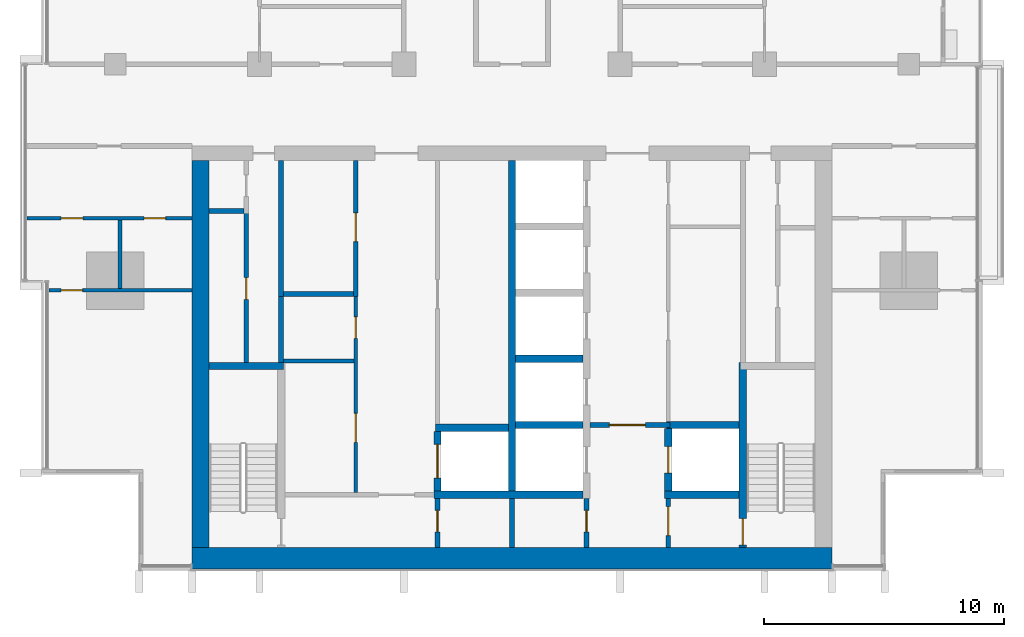
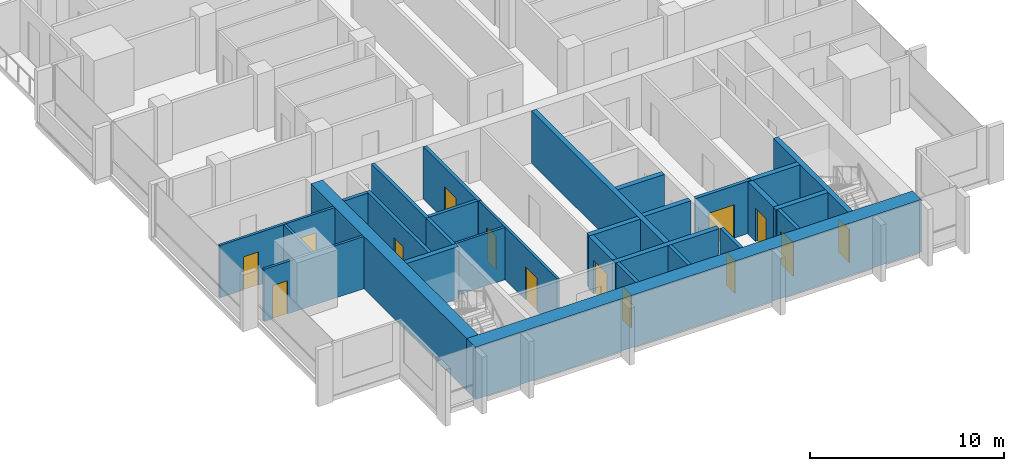
# One storey, part 7 of 17: 29 walls, 14 doors, 14 openings.
"""IFC4 building model written with IfcOpenShell, lengths in metres."""

from ifc_helpers import new_model, si_unit, direction, frame, frame_2d, origin, place, context, subcontext, project, spatial, rectangle, extrude, material, layer, layer_set, type_object, element, fill, save


model = new_model("IFC4")

# Units and contexts
model_context = context("Model", 3, precision=1e-05, world=origin(), true_north=direction((0.0, 1.0)))
body_context = subcontext(model_context, "Body", "Model", "MODEL_VIEW")
ifc_project = project(units=[si_unit("LENGTHUNIT", "METRE"), si_unit("AREAUNIT", "SQUARE_METRE"), si_unit("VOLUMEUNIT", "CUBIC_METRE"), si_unit("PLANEANGLEUNIT", "RADIAN"), si_unit("MASSUNIT", "GRAM", prefix="KILO")], contexts=[model_context])

# Site, building, storey
site_placement = place(None, origin())
site = spatial("IfcSite", under=ifc_project, at=site_placement, CompositionType="ELEMENT")
building_placement = place(site_placement, origin())
building = spatial("IfcBuilding", under=site, at=building_placement, Name="Finial Court Residences", CompositionType="ELEMENT")
storey_placement = place(building_placement, frame((0.0, 0.0, 181.699951171875)))
storey = spatial("IfcBuildingStorey", under=building, at=storey_placement, Name="L45", CompositionType="ELEMENT", Elevation=181.699951171875)

# Walls
ifc_material_1 = material(Name="Concrete C70/85", Category="concrete")
ifc_layer_1 = layer(ifc_material_1, 0.699951171875)
ifc_layer_set_1 = layer_set([ifc_layer_1], Name="Core outer wall 700 Concrete C70/85")
wall_type_1 = type_object("IfcWallType", Name="Core outer wall 700 Concrete C70/85", PredefinedType="SHEAR", material=ifc_layer_set_1)
wall_1_placement = place(storey_placement, frame((-12.949951171875, -24.60009765625, 0.0), z_axis=(0.0, 0.0, 1.0), x_axis=(0.0, 1.0, 0.0)))
element("IfcWall", 1, at=wall_1_placement, inside=storey, type_object=wall_type_1, Name="Core outer wall L45-03", PredefinedType="SHEAR", context=body_context, shape_type="SweptSolid", body=[
    extrude(rectangle(XDim=16.10009765625, YDim=0.699951171875, at=frame_2d((8.050048828125, 0.0))), origin(), (0.0, 0.0, 1.0), 3.300048828125),
])
ifc_material_2 = material(Name="Fire-rated gypsum board partition")
ifc_layer_2 = layer(ifc_material_2, 0.14990234375)
ifc_layer_set_2 = layer_set([ifc_layer_2], Name="Core room partition 150 EI 60")
wall_type_2 = type_object("IfcWallType", Name="Core room partition 150 EI 60", PredefinedType="PARTITIONING", material=ifc_layer_set_2)
wall_2_placement = place(storey_placement, frame((-9.5, -16.840087890625, 0.0), z_axis=(0.0, 0.0, 1.0), x_axis=(1.0, 0.0, 0.0)))
element("IfcWall", 2, at=wall_2_placement, inside=storey, type_object=wall_type_2, Name="Core partition L45-10", PredefinedType="PARTITIONING", context=body_context, shape_type="SweptSolid", body=[
    extrude(rectangle(XDim=2.925048828125, YDim=0.14990234375, at=frame_2d((1.46240234375, 0.0))), origin(), (0.0, 0.0, 1.0), 3.300048828125),
])

# Wall, openings, doors
wall_3_placement = place(storey_placement, frame((-6.5, -22.300048828125, 0.0), z_axis=(0.0, 0.0, 1.0), x_axis=(0.0, 1.0, 0.0)))
wall_3 = element("IfcWall", 3, at=wall_3_placement, inside=storey, type_object=wall_type_2, Name="Core partition L45-23", PredefinedType="PARTITIONING", context=body_context, shape_type="SweptSolid", body=[
    extrude(rectangle(XDim=8.14013671875, YDim=0.14990234375, at=frame_2d((4.070068359375, 0.0))), origin(), (0.0, 0.0, 1.0), 3.300048828125),
])
opening_1_placement = place(wall_3_placement, frame((2.080078125, 0.0, 0.0)))
opening_1 = element("IfcOpeningElement", 4, at=opening_1_placement, cuts=wall_3, Name="Opening L45-C15", PredefinedType="OPENING", context=body_context, shape_type="SweptSolid", body=[
    extrude(rectangle(XDim=1.199951171875, YDim=2.10009765625, at=frame_2d((0.60009765625, 1.050048828125))), frame((0.0, 0.0849609375, 0.0), z_axis=(0.0, -1.0, 0.0), x_axis=(1.0, 0.0, 0.0)), (0.0, 0.0, 1.0), 0.169921875),
])
opening_2_placement = place(wall_3_placement, frame((6.39990234375, 0.0, 0.0)))
opening_2 = element("IfcOpeningElement", 5, at=opening_2_placement, cuts=wall_3, Name="Opening L45-C16", PredefinedType="OPENING", context=body_context, shape_type="SweptSolid", body=[
    extrude(rectangle(XDim=0.89990234375, YDim=2.10009765625, at=frame_2d((0.449951171875, 1.050048828125))), frame((0.0, 0.0849609375, 0.0), z_axis=(0.0, -1.0, 0.0), x_axis=(1.0, 0.0, 0.0)), (0.0, 0.0, 1.0), 0.169921875),
])
ifc_material_3 = material(Name="Steel fire door", Category="steel")
door_type_1 = type_object("IfcDoorType", Name="Core room door 1200 x 2100 EI 60", OperationType="NOTDEFINED", PredefinedType="DOOR", material=ifc_material_3)
door_1_placement = place(opening_1_placement, origin())
door_1 = element("IfcDoor", 6, at=door_1_placement, inside=storey, type_object=door_type_1, Name="Core room door L45-C15", OperationType="SINGLE_SWING_LEFT", OverallHeight=2.10009765625, OverallWidth=1.199951171875, PredefinedType="DOOR", context=body_context, shape_type="SweptSolid", body=[
    extrude(rectangle(XDim=1.199951171875, YDim=2.10009765625, at=frame_2d((0.60009765625, 1.050048828125))), frame((0.0, 0.02490234375, 0.0), z_axis=(0.0, -1.0, 0.0), x_axis=(1.0, 0.0, 0.0)), (0.0, 0.0, 1.0), 0.050048828125),
])
fill(opening_1, door_1)
door_type_2 = type_object("IfcDoorType", Name="Core room door 900 x 2100 EI 60", OperationType="NOTDEFINED", PredefinedType="DOOR", material=ifc_material_3)
door_2_placement = place(opening_2_placement, origin())
door_2 = element("IfcDoor", 7, at=door_2_placement, inside=storey, type_object=door_type_2, Name="Core room door L45-C16", OperationType="SINGLE_SWING_RIGHT", OverallHeight=2.10009765625, OverallWidth=0.89990234375, PredefinedType="DOOR", context=body_context, shape_type="SweptSolid", body=[
    extrude(rectangle(XDim=0.89990234375, YDim=2.10009765625, at=frame_2d((0.449951171875, 1.050048828125))), frame((0.0, 0.02490234375, 0.0), z_axis=(0.0, -1.0, 0.0), x_axis=(1.0, 0.0, 0.0)), (0.0, 0.0, 1.0), 0.050048828125),
])
fill(opening_2, door_2)

# Wall
ifc_layer_3 = layer(ifc_material_1, 0.89990234375)
ifc_layer_set_3 = layer_set([ifc_layer_3], Name="Core south facade wall 900 Concrete C70/85")
wall_type_3 = type_object("IfcWallType", Name="Core south facade wall 900 Concrete C70/85", PredefinedType="SHEAR", material=ifc_layer_set_3)
wall_4_placement = place(storey_placement, frame((-13.300048828125, -25.050048828125, 0.0), z_axis=(0.0, 0.0, 1.0), x_axis=(1.0, 0.0, 0.0)))
element("IfcWall", 8, at=wall_4_placement, inside=storey, type_object=wall_type_3, Name="Core outer wall L45-01", PredefinedType="SHEAR", context=body_context, shape_type="SweptSolid", body=[
    extrude(rectangle(XDim=26.60009765625, YDim=0.89990234375, at=frame_2d((13.300048828125, 0.0))), origin(), (0.0, 0.0, 1.0), 3.300048828125),
])

# Wall, opening, door
ifc_layer_4 = layer(ifc_material_2, 0.199951171875)
ifc_layer_set_4 = layer_set([ifc_layer_4], Name="Firefighting lobby wall 200 EI 120")
wall_type_4 = type_object("IfcWallType", Name="Firefighting lobby wall 200 EI 120", PredefinedType="PARTITIONING", material=ifc_layer_set_4)
wall_5_placement = place(storey_placement, frame((6.574951171875, -19.5, 0.0), z_axis=(0.0, 0.0, 1.0), x_axis=(-1.0, 0.0, 0.0)))
wall_5 = element("IfcWall", 9, at=wall_5_placement, inside=storey, type_object=wall_type_4, Name="Core partition L45-06", PredefinedType="PARTITIONING", context=body_context, shape_type="SweptSolid", body=[
    extrude(rectangle(XDim=3.324951171875, YDim=0.199951171875, at=frame_2d((1.66259765625, 0.0))), origin(), (0.0, 0.0, 1.0), 3.300048828125),
])
opening_3_placement = place(wall_5_placement, frame((1.02490234375, 0.0, 0.0)))
opening_3 = element("IfcOpeningElement", 10, at=opening_3_placement, cuts=wall_5, Name="Opening L45-C02", PredefinedType="OPENING", context=body_context, shape_type="SweptSolid", body=[
    extrude(rectangle(XDim=1.5, YDim=2.10009765625, at=frame_2d((0.75, 1.050048828125))), frame((0.0, 0.10986328125, 0.0), z_axis=(0.0, -1.0, 0.0), x_axis=(1.0, 0.0, 0.0)), (0.0, 0.0, 1.0), 0.219970703125),
])
door_type_3 = type_object("IfcDoorType", Name="Firefighting lobby door 1500 x 2100 EI 90", OperationType="DOUBLE_DOOR_SINGLE_SWING", PredefinedType="DOOR", material=ifc_material_3)
door_3_placement = place(opening_3_placement, origin())
door_3 = element("IfcDoor", 11, at=door_3_placement, inside=storey, type_object=door_type_3, Name="Firefighting lobby door L45-C02", OperationType="DOUBLE_DOOR_SINGLE_SWING", OverallHeight=2.10009765625, OverallWidth=1.5, PredefinedType="DOOR", context=body_context, shape_type="SweptSolid", body=[
    extrude(rectangle(XDim=1.5, YDim=2.10009765625, at=frame_2d((0.75, 1.050048828125))), frame((0.0, 0.02490234375, 0.0), z_axis=(0.0, -1.0, 0.0), x_axis=(1.0, 0.0, 0.0)), (0.0, 0.0, 1.0), 0.050048828125),
])
fill(opening_3, door_3)

wall_6_placement = place(storey_placement, frame((3.10009765625, -24.60009765625, 0.0), z_axis=(0.0, 0.0, 1.0), x_axis=(0.0, 1.0, 0.0)))
wall_6 = element("IfcWall", 12, at=wall_6_placement, inside=storey, type_object=wall_type_4, Name="Core partition L45-30", PredefinedType="PARTITIONING", context=body_context, shape_type="SweptSolid", body=[
    extrude(rectangle(XDim=2.050048828125, YDim=0.199951171875, at=frame_2d((1.02490234375, 0.0))), origin(), (0.0, 0.0, 1.0), 3.300048828125),
])
opening_4_placement = place(wall_6_placement, frame((0.64990234375, 0.0, 0.0)))
opening_4 = element("IfcOpeningElement", 13, at=opening_4_placement, cuts=wall_6, Name="Opening L45-C06", PredefinedType="OPENING", context=body_context, shape_type="SweptSolid", body=[
    extrude(rectangle(XDim=0.89990234375, YDim=2.10009765625, at=frame_2d((0.449951171875, 1.050048828125))), frame((0.0, 0.10986328125, 0.0), z_axis=(0.0, -1.0, 0.0), x_axis=(1.0, 0.0, 0.0)), (0.0, 0.0, 1.0), 0.219970703125),
])
door_type_4 = type_object("IfcDoorType", Name="Riser room door 900 x 2100 EI 90", OperationType="NOTDEFINED", PredefinedType="DOOR", material=ifc_material_3)
door_4_placement = place(opening_4_placement, origin())
door_4 = element("IfcDoor", 14, at=door_4_placement, inside=storey, type_object=door_type_4, Name="Riser room door L45-C06", OperationType="SINGLE_SWING_LEFT", OverallHeight=2.10009765625, OverallWidth=0.89990234375, PredefinedType="DOOR", context=body_context, shape_type="SweptSolid", body=[
    extrude(rectangle(XDim=0.89990234375, YDim=2.10009765625, at=frame_2d((0.449951171875, 1.050048828125))), frame((0.0, 0.02490234375, 0.0), z_axis=(0.0, -1.0, 0.0), x_axis=(1.0, 0.0, 0.0)), (0.0, 0.0, 1.0), 0.050048828125),
])
fill(opening_4, door_4)

wall_7_placement = place(storey_placement, frame((6.5, -22.550048828125, 0.0), z_axis=(0.0, 0.0, 1.0), x_axis=(0.0, -1.0, 0.0)))
wall_7 = element("IfcWall", 15, at=wall_7_placement, inside=storey, type_object=wall_type_4, Name="Core partition L45-32", PredefinedType="PARTITIONING", context=body_context, shape_type="SweptSolid", body=[
    extrude(rectangle(XDim=2.050048828125, YDim=0.199951171875, at=frame_2d((1.02490234375, 0.0))), origin(), (0.0, 0.0, 1.0), 3.300048828125),
])
opening_5_placement = place(wall_7_placement, frame((0.35009765625, 0.0, 0.0)))
opening_5 = element("IfcOpeningElement", 16, at=opening_5_placement, cuts=wall_7, Name="Opening L45-C01", PredefinedType="OPENING", context=body_context, shape_type="SweptSolid", body=[
    extrude(rectangle(XDim=1.199951171875, YDim=2.10009765625, at=frame_2d((0.60009765625, 1.050048828125))), frame((0.0, 0.10986328125, 0.0), z_axis=(0.0, -1.0, 0.0), x_axis=(1.0, 0.0, 0.0)), (0.0, 0.0, 1.0), 0.219970703125),
])
door_type_5 = type_object("IfcDoorType", Name="Firefighting lobby door 1200 x 2100 EI 90", OperationType="NOTDEFINED", PredefinedType="DOOR", material=ifc_material_3)
door_5_placement = place(opening_5_placement, origin())
door_5 = element("IfcDoor", 17, at=door_5_placement, inside=storey, type_object=door_type_5, Name="Firefighting lobby door L45-C01", OperationType="SINGLE_SWING_RIGHT", OverallHeight=2.10009765625, OverallWidth=1.199951171875, PredefinedType="DOOR", context=body_context, shape_type="SweptSolid", body=[
    extrude(rectangle(XDim=1.199951171875, YDim=2.10009765625, at=frame_2d((0.60009765625, 1.050048828125))), frame((0.0, 0.02490234375, 0.0), z_axis=(0.0, -1.0, 0.0), x_axis=(1.0, 0.0, 0.0)), (0.0, 0.0, 1.0), 0.050048828125),
])
fill(opening_5, door_5)

ifc_material_4 = material(Name="Moisture-resistant gypsum board")
ifc_layer_5 = layer(ifc_material_4, 0.012451171875)
ifc_material_5 = material(Name="Mineral wool in light-gauge frame")
ifc_layer_6 = layer(ifc_material_5, 0.125)
ifc_layer_7 = layer(ifc_material_4, 0.012451171875)
ifc_layer_set_5 = layer_set([ifc_layer_5, ifc_layer_6, ifc_layer_7], Name="Gypsum board wet-area partition 150")
wall_type_5 = type_object("IfcWallType", Name="Gypsum board wet-area partition 150", PredefinedType="PARTITIONING", material=ifc_layer_set_5)
wall_8_placement = place(storey_placement, frame((-19.262451171875, -13.89990234375, 0.0), z_axis=(0.0, 0.0, 1.0), x_axis=(1.0, 0.0, 0.0)))
wall_8 = element("IfcWall", 18, at=wall_8_placement, inside=storey, type_object=wall_type_5, Name="Partition L45-000", PredefinedType="PARTITIONING", context=body_context, shape_type="SweptSolid", body=[
    extrude(rectangle(XDim=5.96240234375, YDim=0.14990234375, at=frame_2d((2.981201171875, 0.0))), origin(), (0.0, 0.0, 1.0), 3.300048828125),
])
opening_6_placement = place(wall_8_placement, frame((0.511962890625, 0.0, 0.0)))
opening_6 = element("IfcOpeningElement", 19, at=opening_6_placement, cuts=wall_8, Name="Opening L45-D001", PredefinedType="OPENING", context=body_context, shape_type="SweptSolid", body=[
    extrude(rectangle(XDim=0.89990234375, YDim=2.10009765625, at=frame_2d((0.449951171875, 1.050048828125))), frame((0.0, 0.0849609375, 0.0), z_axis=(0.0, -1.0, 0.0), x_axis=(1.0, 0.0, 0.0)), (0.0, 0.0, 1.0), 0.169921875),
])
ifc_material_6 = material(Name="Timber door leaf in timber frame", Category="wood")
door_type_6 = type_object("IfcDoorType", Name="Door set 900 x 2100", OperationType="SINGLE_SWING_LEFT", PredefinedType="DOOR", material=ifc_material_6)
door_6_placement = place(opening_6_placement, origin())
door_6 = element("IfcDoor", 20, at=door_6_placement, inside=storey, type_object=door_type_6, Name="Door L45-D001", OperationType="SINGLE_SWING_LEFT", OverallHeight=2.10009765625, OverallWidth=0.89990234375, PredefinedType="DOOR", context=body_context, shape_type="SweptSolid", body=[
    extrude(rectangle(XDim=0.89990234375, YDim=2.10009765625, at=frame_2d((0.449951171875, 1.050048828125))), frame((0.0, 0.02490234375, 0.0), z_axis=(0.0, -1.0, 0.0), x_axis=(1.0, 0.0, 0.0)), (0.0, 0.0, 1.0), 0.050048828125),
])
fill(opening_6, door_6)

# Wall, openings, doors
wall_9_placement = place(storey_placement, frame((-20.16259765625, -10.89990234375, 0.0), z_axis=(0.0, 0.0, 1.0), x_axis=(1.0, 0.0, 0.0)))
wall_9 = element("IfcWall", 21, at=wall_9_placement, inside=storey, type_object=wall_type_5, Name="Partition L45-002", PredefinedType="PARTITIONING", context=body_context, shape_type="SweptSolid", body=[
    extrude(rectangle(XDim=6.862548828125, YDim=0.14990234375, at=frame_2d((3.43115234375, 0.0))), origin(), (0.0, 0.0, 1.0), 3.300048828125),
])
opening_7_placement = place(wall_9_placement, frame((1.4130859375, 0.0, 0.0)))
opening_7 = element("IfcOpeningElement", 22, at=opening_7_placement, cuts=wall_9, Name="Opening L45-D003", PredefinedType="OPENING", context=body_context, shape_type="SweptSolid", body=[
    extrude(rectangle(XDim=0.89990234375, YDim=2.10009765625, at=frame_2d((0.449951171875, 1.050048828125))), frame((0.0, 0.0849609375, 0.0), z_axis=(0.0, -1.0, 0.0), x_axis=(1.0, 0.0, 0.0)), (0.0, 0.0, 1.0), 0.169921875),
])
opening_8_placement = place(wall_9_placement, frame((4.863037109375, 0.0, 0.0)))
opening_8 = element("IfcOpeningElement", 23, at=opening_8_placement, cuts=wall_9, Name="Opening L45-D004", PredefinedType="OPENING", context=body_context, shape_type="SweptSolid", body=[
    extrude(rectangle(XDim=0.89990234375, YDim=2.10009765625, at=frame_2d((0.449951171875, 1.050048828125))), frame((0.0, 0.0849609375, 0.0), z_axis=(0.0, -1.0, 0.0), x_axis=(1.0, 0.0, 0.0)), (0.0, 0.0, 1.0), 0.169921875),
])
door_7_placement = place(opening_7_placement, origin())
door_7 = element("IfcDoor", 24, at=door_7_placement, inside=storey, type_object=door_type_6, Name="Door L45-D003", OperationType="SINGLE_SWING_LEFT", OverallHeight=2.10009765625, OverallWidth=0.89990234375, PredefinedType="DOOR", context=body_context, shape_type="SweptSolid", body=[
    extrude(rectangle(XDim=0.89990234375, YDim=2.10009765625, at=frame_2d((0.449951171875, 1.050048828125))), frame((0.0, 0.02490234375, 0.0), z_axis=(0.0, -1.0, 0.0), x_axis=(1.0, 0.0, 0.0)), (0.0, 0.0, 1.0), 0.050048828125),
])
fill(opening_7, door_7)
door_8_placement = place(opening_8_placement, origin())
door_8 = element("IfcDoor", 25, at=door_8_placement, inside=storey, type_object=door_type_6, Name="Door L45-D004", OperationType="SINGLE_SWING_RIGHT", OverallHeight=2.10009765625, OverallWidth=0.89990234375, PredefinedType="DOOR", context=body_context, shape_type="SweptSolid", body=[
    extrude(rectangle(XDim=0.89990234375, YDim=2.10009765625, at=frame_2d((0.449951171875, 1.050048828125))), frame((0.0, 0.02490234375, 0.0), z_axis=(0.0, -1.0, 0.0), x_axis=(1.0, 0.0, 0.0)), (0.0, 0.0, 1.0), 0.050048828125),
])
fill(opening_8, door_8)

# Walls
wall_10_placement = place(storey_placement, frame((-16.300048828125, -13.824951171875, 0.0), z_axis=(0.0, 0.0, 1.0), x_axis=(0.0, 1.0, 0.0)))
element("IfcWall", 26, at=wall_10_placement, inside=storey, type_object=wall_type_5, Name="Partition L45-033", PredefinedType="PARTITIONING", context=body_context, shape_type="SweptSolid", body=[
    extrude(rectangle(XDim=2.849853515625, YDim=0.14990234375, at=frame_2d((1.4248046875, 0.0))), origin(), (0.0, 0.0, 1.0), 3.300048828125),
])
ifc_layer_8 = layer(ifc_material_1, 0.300048828125)
ifc_layer_set_6 = layer_set([ifc_layer_8], Name="Lift shaft and stair wall 300 Concrete C70/85")
wall_type_6 = type_object("IfcWallType", Name="Lift shaft and stair wall 300 Concrete C70/85", PredefinedType="SHEAR", material=ifc_layer_set_6)
wall_11_placement = place(storey_placement, frame((-3.25, -22.39990234375, 0.0), z_axis=(0.0, 0.0, 1.0), x_axis=(1.0, 0.0, 0.0)))
element("IfcWall", 27, at=wall_11_placement, inside=storey, type_object=wall_type_6, Name="Core wall L45-02", PredefinedType="SHEAR", context=body_context, shape_type="SweptSolid", body=[
    extrude(rectangle(XDim=6.199951171875, YDim=0.300048828125, at=frame_2d((3.10009765625, 0.0))), origin(), (0.0, 0.0, 1.0), 3.300048828125),
])
wall_12_placement = place(storey_placement, frame((6.35009765625, -22.39990234375, 0.0), z_axis=(0.0, 0.0, 1.0), x_axis=(1.0, 0.0, 0.0)))
element("IfcWall", 28, at=wall_12_placement, inside=storey, type_object=wall_type_6, Name="Core wall L45-03", PredefinedType="SHEAR", context=body_context, shape_type="SweptSolid", body=[
    extrude(rectangle(XDim=3.099853515625, YDim=0.300048828125, at=frame_2d((1.5498046875, 0.0))), origin(), (0.0, 0.0, 1.0), 3.300048828125),
])
wall_13_placement = place(storey_placement, frame((-3.175048828125, -19.6201171875, 0.0), z_axis=(0.0, 0.0, 1.0), x_axis=(1.0, 0.0, 0.0)))
element("IfcWall", 29, at=wall_13_placement, inside=storey, type_object=wall_type_6, Name="Core wall L45-04", PredefinedType="SHEAR", context=body_context, shape_type="SweptSolid", body=[
    extrude(rectangle(XDim=3.025146484375, YDim=0.300048828125, at=frame_2d((1.5126953125, 0.0))), origin(), (0.0, 0.0, 1.0), 3.300048828125),
])
wall_14_placement = place(storey_placement, frame((0.14990234375, -19.5, 0.0), z_axis=(0.0, 0.0, 1.0), x_axis=(1.0, 0.0, 0.0)))
element("IfcWall", 30, at=wall_14_placement, inside=storey, type_object=wall_type_6, Name="Core wall L45-05", PredefinedType="SHEAR", context=body_context, shape_type="SweptSolid", body=[
    extrude(rectangle(XDim=2.800048828125, YDim=0.300048828125, at=frame_2d((1.39990234375, 0.0))), origin(), (0.0, 0.0, 1.0), 3.300048828125),
])
wall_15_placement = place(storey_placement, frame((6.425048828125, -19.5, 0.0), z_axis=(0.0, 0.0, 1.0), x_axis=(1.0, 0.0, 0.0)))
element("IfcWall", 31, at=wall_15_placement, inside=storey, type_object=wall_type_6, Name="Core wall L45-07", PredefinedType="SHEAR", context=body_context, shape_type="SweptSolid", body=[
    extrude(rectangle(XDim=3.02490234375, YDim=0.300048828125, at=frame_2d((1.512451171875, 0.0))), origin(), (0.0, 0.0, 1.0), 3.300048828125),
])
wall_16_placement = place(storey_placement, frame((-12.60009765625, -17.050048828125, 0.0), z_axis=(0.0, 0.0, 1.0), x_axis=(1.0, 0.0, 0.0)))
element("IfcWall", 32, at=wall_16_placement, inside=storey, type_object=wall_type_6, Name="Core wall L45-08", PredefinedType="SHEAR", context=body_context, shape_type="SweptSolid", body=[
    extrude(rectangle(XDim=3.10009765625, YDim=0.300048828125, at=frame_2d((1.550048828125, 0.0))), origin(), (0.0, 0.0, 1.0), 3.300048828125),
])
wall_17_placement = place(storey_placement, frame((0.14990234375, -16.75, 0.0), z_axis=(0.0, 0.0, 1.0), x_axis=(1.0, 0.0, 0.0)))
element("IfcWall", 33, at=wall_17_placement, inside=storey, type_object=wall_type_6, Name="Core wall L45-11", PredefinedType="SHEAR", context=body_context, shape_type="SweptSolid", body=[
    extrude(rectangle(XDim=2.800048828125, YDim=0.300048828125, at=frame_2d((1.39990234375, 0.0))), origin(), (0.0, 0.0, 1.0), 3.300048828125),
])

# Wall, opening, door
wall_18_placement = place(storey_placement, frame((-3.10009765625, -22.25, 0.0), z_axis=(0.0, 0.0, 1.0), x_axis=(0.0, 1.0, 0.0)))
wall_18 = element("IfcWall", 34, at=wall_18_placement, inside=storey, type_object=wall_type_6, Name="Core wall L45-26", PredefinedType="SHEAR", context=body_context, shape_type="SweptSolid", body=[
    extrude(rectangle(XDim=2.47998046875, YDim=0.300048828125, at=frame_2d((1.239990234375, 0.0))), origin(), (0.0, 0.0, 1.0), 3.300048828125),
])
opening_9_placement = place(wall_18_placement, frame((0.5400390625, 0.0, 0.0)))
opening_9 = element("IfcOpeningElement", 35, at=opening_9_placement, cuts=wall_18, Name="Opening L45-LD07", PredefinedType="OPENING", context=body_context, shape_type="SweptSolid", body=[
    extrude(rectangle(XDim=1.39990234375, YDim=2.10009765625, at=frame_2d((0.699951171875, 1.050048828125))), frame((0.0, 0.159912109375, 0.0), z_axis=(0.0, -1.0, 0.0), x_axis=(1.0, 0.0, 0.0)), (0.0, 0.0, 1.0), 0.320068359375),
])
ifc_material_7 = material(Name="Stainless steel lift door", Category="steel")
door_type_7 = type_object("IfcDoorType", Name="Lift landing door 1400 x 2100 EI 90", OperationType="DOUBLE_DOOR_SLIDING", PredefinedType="DOOR", material=ifc_material_7)
door_9_placement = place(opening_9_placement, origin())
door_9 = element("IfcDoor", 36, at=door_9_placement, inside=storey, type_object=door_type_7, Name="Lift landing door SV1 L45", OperationType="DOUBLE_DOOR_SLIDING", OverallHeight=2.10009765625, OverallWidth=1.39990234375, PredefinedType="DOOR", context=body_context, shape_type="SweptSolid", body=[
    extrude(rectangle(XDim=1.39990234375, YDim=2.10009765625, at=frame_2d((0.699951171875, 1.050048828125))), frame((0.0, 0.02490234375, 0.0), z_axis=(0.0, -1.0, 0.0), x_axis=(1.0, 0.0, 0.0)), (0.0, 0.0, 1.0), 0.050048828125),
])
fill(opening_9, door_9)

# Wall
wall_19_placement = place(storey_placement, frame((0.0, -22.25, 0.0), z_axis=(0.0, 0.0, 1.0), x_axis=(0.0, 1.0, 0.0)))
element("IfcWall", 37, at=wall_19_placement, inside=storey, type_object=wall_type_6, Name="Core wall L45-29", PredefinedType="SHEAR", context=body_context, shape_type="SweptSolid", body=[
    extrude(rectangle(XDim=13.75, YDim=0.300048828125, at=frame_2d((6.875, 0.0))), origin(), (0.0, 0.0, 1.0), 3.300048828125),
])

# Wall, opening, door
wall_20_placement = place(storey_placement, frame((6.5, -22.25, 0.0), z_axis=(0.0, 0.0, 1.0), x_axis=(0.0, 1.0, 0.0)))
wall_20 = element("IfcWall", 38, at=wall_20_placement, inside=storey, type_object=wall_type_6, Name="Core wall L45-33", PredefinedType="SHEAR", context=body_context, shape_type="SweptSolid", body=[
    extrude(rectangle(XDim=2.60009765625, YDim=0.300048828125, at=frame_2d((1.300048828125, 0.0))), origin(), (0.0, 0.0, 1.0), 3.300048828125),
])
opening_10_placement = place(wall_20_placement, frame((0.75, 0.0, 0.0)))
opening_10 = element("IfcOpeningElement", 39, at=opening_10_placement, cuts=wall_20, Name="Opening L45-LD02", PredefinedType="OPENING", context=body_context, shape_type="SweptSolid", body=[
    extrude(rectangle(XDim=1.10009765625, YDim=2.10009765625, at=frame_2d((0.550048828125, 1.050048828125))), frame((0.0, 0.159912109375, 0.0), z_axis=(0.0, -1.0, 0.0), x_axis=(1.0, 0.0, 0.0)), (0.0, 0.0, 1.0), 0.320068359375),
])
door_type_8 = type_object("IfcDoorType", Name="Lift landing door 1100 x 2100 EI 90", OperationType="DOUBLE_DOOR_SLIDING", PredefinedType="DOOR", material=ifc_material_7)
door_10_placement = place(opening_10_placement, origin())
door_10 = element("IfcDoor", 40, at=door_10_placement, inside=storey, type_object=door_type_8, Name="Lift landing door FF2 L45", OperationType="DOUBLE_DOOR_SLIDING", OverallHeight=2.10009765625, OverallWidth=1.10009765625, PredefinedType="DOOR", context=body_context, shape_type="SweptSolid", body=[
    extrude(rectangle(XDim=1.10009765625, YDim=2.10009765625, at=frame_2d((0.550048828125, 1.050048828125))), frame((0.0, 0.02490234375, 0.0), z_axis=(0.0, -1.0, 0.0), x_axis=(1.0, 0.0, 0.0)), (0.0, 0.0, 1.0), 0.050048828125),
])
fill(opening_10, door_10)

wall_21_placement = place(storey_placement, frame((9.60009765625, -16.89990234375, 0.0), z_axis=(0.0, 0.0, 1.0), x_axis=(0.0, -1.0, 0.0)))
wall_21 = element("IfcWall", 41, at=wall_21_placement, inside=storey, type_object=wall_type_6, Name="Core wall L45-35", PredefinedType="SHEAR", context=body_context, shape_type="SweptSolid", body=[
    extrude(rectangle(XDim=7.7001953125, YDim=0.300048828125, at=frame_2d((3.85009765625, 0.0))), origin(), (0.0, 0.0, 1.0), 3.300048828125),
])
opening_11_placement = place(wall_21_placement, frame((6.5, 0.0, 0.0)))
opening_11 = element("IfcOpeningElement", 42, at=opening_11_placement, cuts=wall_21, Name="Opening L45-C21", PredefinedType="OPENING", context=body_context, shape_type="SweptSolid", body=[
    extrude(rectangle(XDim=1.10009765625, YDim=2.10009765625, at=frame_2d((0.550048828125, 1.050048828125))), frame((0.0, 0.159912109375, 0.0), z_axis=(0.0, -1.0, 0.0), x_axis=(1.0, 0.0, 0.0)), (0.0, 0.0, 1.0), 0.320068359375),
])
door_type_9 = type_object("IfcDoorType", Name="Stair door 1100 x 2100 EI 90", OperationType="NOTDEFINED", PredefinedType="DOOR", material=ifc_material_3)
door_11_placement = place(opening_11_placement, origin())
door_11 = element("IfcDoor", 43, at=door_11_placement, inside=storey, type_object=door_type_9, Name="Stair door L45-C21", OperationType="SINGLE_SWING_RIGHT", OverallHeight=2.10009765625, OverallWidth=1.10009765625, PredefinedType="DOOR", context=body_context, shape_type="SweptSolid", body=[
    extrude(rectangle(XDim=1.10009765625, YDim=2.10009765625, at=frame_2d((0.550048828125, 1.050048828125))), frame((0.0, 0.02490234375, 0.0), z_axis=(0.0, -1.0, 0.0), x_axis=(1.0, 0.0, 0.0)), (0.0, 0.0, 1.0), 0.050048828125),
])
fill(opening_11, door_11)

# Walls
ifc_layer_9 = layer(ifc_material_2, 0.199951171875)
ifc_layer_set_7 = layer_set([ifc_layer_9], Name="Riser room wall 200 EI 120")
wall_type_7 = type_object("IfcWallType", Name="Riser room wall 200 EI 120", PredefinedType="PARTITIONING", material=ifc_layer_set_7)
wall_22_placement = place(storey_placement, frame((-9.5, -14.06005859375, 0.0), z_axis=(0.0, 0.0, 1.0), x_axis=(1.0, 0.0, 0.0)))
element("IfcWall", 44, at=wall_22_placement, inside=storey, type_object=wall_type_7, Name="Core partition L45-12", PredefinedType="PARTITIONING", context=body_context, shape_type="SweptSolid", body=[
    extrude(rectangle(XDim=2.89990234375, YDim=0.199951171875, at=frame_2d((1.449951171875, 0.0))), origin(), (0.0, 0.0, 1.0), 3.300048828125),
])
wall_23_placement = place(storey_placement, frame((-12.60009765625, -10.60009765625, 0.0), z_axis=(0.0, 0.0, 1.0), x_axis=(1.0, 0.0, 0.0)))
element("IfcWall", 45, at=wall_23_placement, inside=storey, type_object=wall_type_7, Name="Core partition L45-17", PredefinedType="PARTITIONING", context=body_context, shape_type="SweptSolid", body=[
    extrude(rectangle(XDim=1.4501953125, YDim=0.199951171875, at=frame_2d((0.72509765625, 0.0))), origin(), (0.0, 0.0, 1.0), 3.300048828125),
])
wall_24_placement = place(storey_placement, frame((-9.60009765625, -14.159912109375, 0.0), z_axis=(0.0, 0.0, 1.0), x_axis=(0.0, 1.0, 0.0)))
element("IfcWall", 46, at=wall_24_placement, inside=storey, type_object=wall_type_7, Name="Core partition L45-22", PredefinedType="PARTITIONING", context=body_context, shape_type="SweptSolid", body=[
    extrude(rectangle(XDim=5.659912109375, YDim=0.199951171875, at=frame_2d((2.830078125, 0.0))), origin(), (0.0, 0.0, 1.0), 3.300048828125),
])

# Wall, opening, door
wall_25_placement = place(storey_placement, frame((-6.5, -14.159912109375, 0.0), z_axis=(0.0, 0.0, 1.0), x_axis=(0.0, 1.0, 0.0)))
wall_25 = element("IfcWall", 47, at=wall_25_placement, inside=storey, type_object=wall_type_7, Name="Core partition L45-24", PredefinedType="PARTITIONING", context=body_context, shape_type="SweptSolid", body=[
    extrude(rectangle(XDim=5.659912109375, YDim=0.199951171875, at=frame_2d((2.830078125, 0.0))), origin(), (0.0, 0.0, 1.0), 3.300048828125),
])
opening_12_placement = place(wall_25_placement, frame((2.280029296875, 0.0, 0.0)))
opening_12 = element("IfcOpeningElement", 48, at=opening_12_placement, cuts=wall_25, Name="Opening L45-C09", PredefinedType="OPENING", context=body_context, shape_type="SweptSolid", body=[
    extrude(rectangle(XDim=1.199951171875, YDim=2.10009765625, at=frame_2d((0.60009765625, 1.050048828125))), frame((0.0, 0.10986328125, 0.0), z_axis=(0.0, -1.0, 0.0), x_axis=(1.0, 0.0, 0.0)), (0.0, 0.0, 1.0), 0.219970703125),
])
door_type_10 = type_object("IfcDoorType", Name="Riser room door 1200 x 2100 EI 90", OperationType="NOTDEFINED", PredefinedType="DOOR", material=ifc_material_3)
door_12_placement = place(opening_12_placement, origin())
door_12 = element("IfcDoor", 49, at=door_12_placement, inside=storey, type_object=door_type_10, Name="Riser room door L45-C09", OperationType="SINGLE_SWING_RIGHT", OverallHeight=2.10009765625, OverallWidth=1.199951171875, PredefinedType="DOOR", context=body_context, shape_type="SweptSolid", body=[
    extrude(rectangle(XDim=1.199951171875, YDim=2.10009765625, at=frame_2d((0.60009765625, 1.050048828125))), frame((0.0, 0.02490234375, 0.0), z_axis=(0.0, -1.0, 0.0), x_axis=(1.0, 0.0, 0.0)), (0.0, 0.0, 1.0), 0.050048828125),
])
fill(opening_12, door_12)

# Wall
wall_26_placement = place(storey_placement, frame((0.0, -24.60009765625, 0.0), z_axis=(0.0, 0.0, 1.0), x_axis=(0.0, 1.0, 0.0)))
element("IfcWall", 50, at=wall_26_placement, inside=storey, type_object=wall_type_7, Name="Core partition L45-28", PredefinedType="PARTITIONING", context=body_context, shape_type="SweptSolid", body=[
    extrude(rectangle(XDim=2.050048828125, YDim=0.199951171875, at=frame_2d((1.02490234375, 0.0))), origin(), (0.0, 0.0, 1.0), 3.300048828125),
])

# Wall, opening, door
ifc_layer_10 = layer(ifc_material_2, 0.199951171875)
ifc_layer_set_8 = layer_set([ifc_layer_10], Name="Stair passage wall 200 EI 180")
wall_type_8 = type_object("IfcWallType", Name="Stair passage wall 200 EI 180", PredefinedType="PARTITIONING", material=ifc_layer_set_8)
wall_27_placement = place(storey_placement, frame((-11.050048828125, -16.89990234375, 0.0), z_axis=(0.0, 0.0, 1.0), x_axis=(0.0, 1.0, 0.0)))
wall_27 = element("IfcWall", 51, at=wall_27_placement, inside=storey, type_object=wall_type_8, Name="Core partition L45-18", PredefinedType="PARTITIONING", context=body_context, shape_type="SweptSolid", body=[
    extrude(rectangle(XDim=6.39990234375, YDim=0.199951171875, at=frame_2d((3.199951171875, 0.0))), origin(), (0.0, 0.0, 1.0), 3.300048828125),
])
opening_13_placement = place(wall_27_placement, frame((2.625, 0.0, 0.0)))
opening_13 = element("IfcOpeningElement", 52, at=opening_13_placement, cuts=wall_27, Name="Opening L45-C13", PredefinedType="OPENING", context=body_context, shape_type="SweptSolid", body=[
    extrude(rectangle(XDim=0.89990234375, YDim=2.10009765625, at=frame_2d((0.449951171875, 1.050048828125))), frame((0.0, 0.10986328125, 0.0), z_axis=(0.0, -1.0, 0.0), x_axis=(1.0, 0.0, 0.0)), (0.0, 0.0, 1.0), 0.219970703125),
])
door_13_placement = place(opening_13_placement, origin())
door_13 = element("IfcDoor", 53, at=door_13_placement, inside=storey, type_object=door_type_2, Name="Core room door L45-C13", OperationType="SINGLE_SWING_RIGHT", OverallHeight=2.10009765625, OverallWidth=0.89990234375, PredefinedType="DOOR", context=body_context, shape_type="SweptSolid", body=[
    extrude(rectangle(XDim=0.89990234375, YDim=2.10009765625, at=frame_2d((0.449951171875, 1.050048828125))), frame((0.0, 0.02490234375, 0.0), z_axis=(0.0, -1.0, 0.0), x_axis=(1.0, 0.0, 0.0)), (0.0, 0.0, 1.0), 0.050048828125),
])
fill(opening_13, door_13)

# Wall
wall_28_placement = place(storey_placement, frame((-9.60009765625, -16.89990234375, 0.0), z_axis=(0.0, 0.0, 1.0), x_axis=(0.0, 1.0, 0.0)))
element("IfcWall", 54, at=wall_28_placement, inside=storey, type_object=wall_type_8, Name="Core partition L45-21", PredefinedType="PARTITIONING", context=body_context, shape_type="SweptSolid", body=[
    extrude(rectangle(XDim=2.739990234375, YDim=0.199951171875, at=frame_2d((1.3701171875, 0.0))), origin(), (0.0, 0.0, 1.0), 3.300048828125),
])

# Wall, opening, door
wall_29_placement = place(storey_placement, frame((-3.10009765625, -22.550048828125, 0.0), z_axis=(0.0, 0.0, 1.0), x_axis=(0.0, -1.0, 0.0)))
wall_29 = element("IfcWall", 55, at=wall_29_placement, inside=storey, type_object=wall_type_8, Name="Core partition L45-25", PredefinedType="PARTITIONING", context=body_context, shape_type="SweptSolid", body=[
    extrude(rectangle(XDim=2.050048828125, YDim=0.199951171875, at=frame_2d((1.02490234375, 0.0))), origin(), (0.0, 0.0, 1.0), 3.300048828125),
])
opening_14_placement = place(wall_29_placement, frame((0.5, 0.0, 0.0)))
opening_14 = element("IfcOpeningElement", 56, at=opening_14_placement, cuts=wall_29, Name="Opening L45-C12", PredefinedType="OPENING", context=body_context, shape_type="SweptSolid", body=[
    extrude(rectangle(XDim=0.89990234375, YDim=2.10009765625, at=frame_2d((0.449951171875, 1.050048828125))), frame((0.0, 0.10986328125, 0.0), z_axis=(0.0, -1.0, 0.0), x_axis=(1.0, 0.0, 0.0)), (0.0, 0.0, 1.0), 0.219970703125),
])
door_14_placement = place(opening_14_placement, origin())
door_14 = element("IfcDoor", 57, at=door_14_placement, inside=storey, type_object=door_type_2, Name="Core room door L45-C12", OperationType="SINGLE_SWING_RIGHT", OverallHeight=2.10009765625, OverallWidth=0.89990234375, PredefinedType="DOOR", context=body_context, shape_type="SweptSolid", body=[
    extrude(rectangle(XDim=0.89990234375, YDim=2.10009765625, at=frame_2d((0.449951171875, 1.050048828125))), frame((0.0, 0.02490234375, 0.0), z_axis=(0.0, -1.0, 0.0), x_axis=(1.0, 0.0, 0.0)), (0.0, 0.0, 1.0), 0.050048828125),
])
fill(opening_14, door_14)

save(model, "model.ifc")
